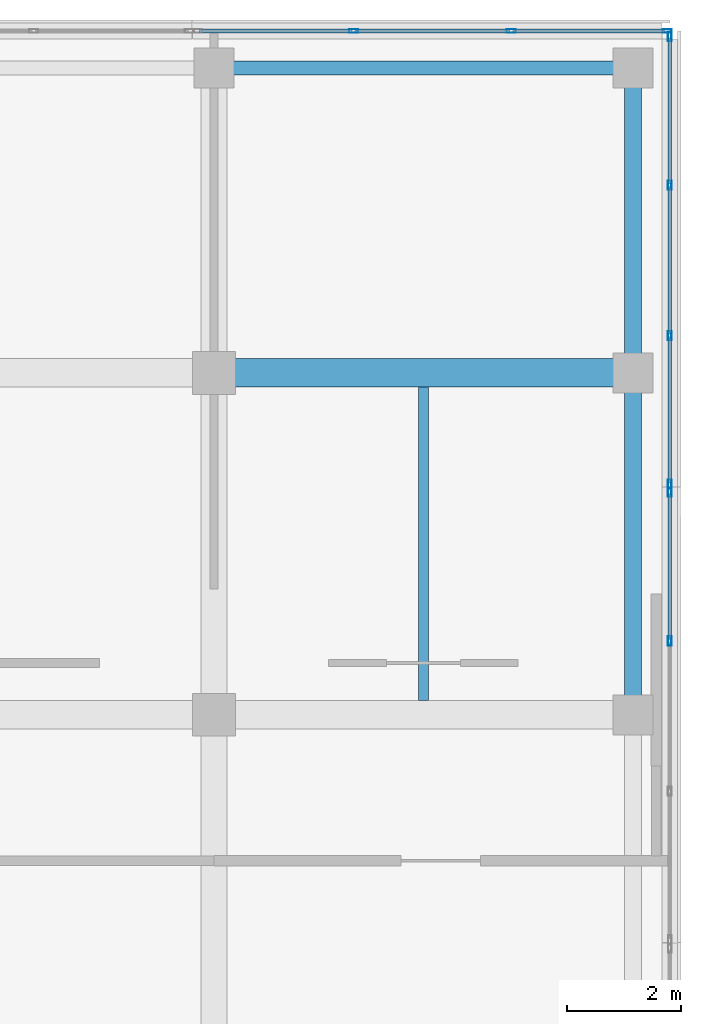
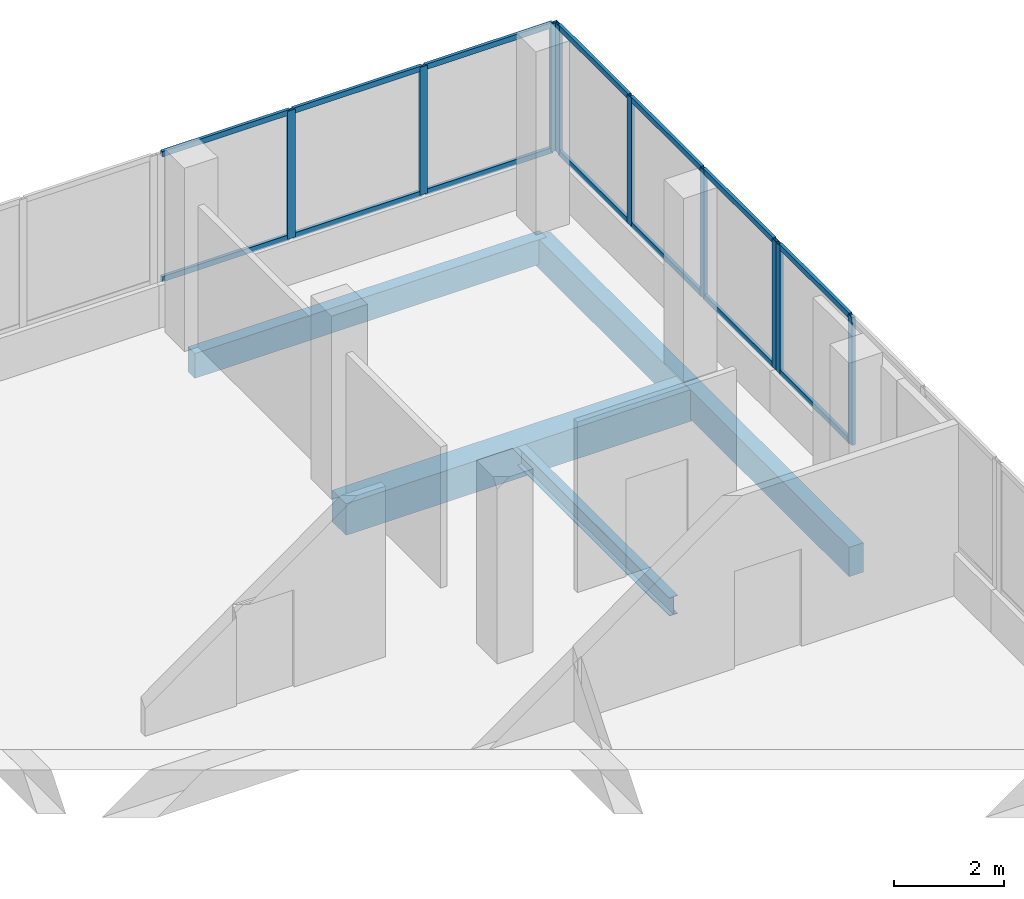
# One storey, part 72 of 101: 23 members, 5 beams, 3 elements without a shape of their own.
"""IFC4 building model written with IfcOpenShell, lengths in metres."""

from ifc_helpers import new_model, si_unit, direction, frame, origin, origin_2d, place, context, subcontext, project, spatial, rectangle, hollow_rectangle, i_section, extrude, material, material_profile, profile_set, type_object, element, aggregate, save


model = new_model("IFC4")

# Units and contexts
model_context = context("Model", 3, precision=1e-05, world=origin(), true_north=direction((0.0, 1.0)))
body_context = subcontext(model_context, "Body", "Model", "MODEL_VIEW")
ifc_project = project(units=[si_unit("LENGTHUNIT", "METRE"), si_unit("AREAUNIT", "SQUARE_METRE"), si_unit("VOLUMEUNIT", "CUBIC_METRE"), si_unit("PLANEANGLEUNIT", "RADIAN"), si_unit("MASSUNIT", "GRAM", prefix="KILO")], contexts=[model_context])

# Site, building, storey
site_placement = place(None, origin())
site = spatial("IfcSite", under=ifc_project, at=site_placement, CompositionType="ELEMENT")
building_placement = place(site_placement, origin())
building = spatial("IfcBuilding", under=site, at=building_placement, Name="Selatvlak General Hospital", CompositionType="ELEMENT")
storey_placement = place(building_placement, frame((0.0, 0.0, 19.199951171875)))
storey = spatial("IfcBuildingStorey", under=building, at=storey_placement, Name="L04", CompositionType="ELEMENT", Elevation=19.199951171875)

# Beams
ifc_material_1 = material(Name="Concrete C40/50", Category="concrete")
ifc_material_profile_1 = material_profile(ifc_material_1, rectangle(XDim=0.5, YDim=0.699951171875, at=origin_2d()), Name="RC-BM 500x700")
ifc_profile_set_1 = profile_set([ifc_material_profile_1], Name="Concrete C40/50")
beam_type_1 = type_object("IfcBeamType", Name="BM-G03", PredefinedType="BEAM", material=ifc_profile_set_1)
beam_1_placement = place(storey_placement, frame((174.0, 114.0, -0.655029296875), z_axis=(1.0, 0.0, 0.0), x_axis=(0.0, 1.0, 0.0)))
element("IfcBeam", 1, at=beam_1_placement, inside=storey, type_object=beam_type_1, Name="Beam BMR-L04-1626", PredefinedType="BEAM", context=body_context, shape_type="SweptSolid", body=[
    extrude(rectangle(XDim=0.5, YDim=0.699951171875, at=origin_2d()), origin(), (0.0, 0.0, 1.0), 7.35009765625),
])
ifc_material_2 = material(Name="Steel S355", Category="steel")
ifc_material_profile_2 = material_profile(ifc_material_2, i_section(OverallWidth=0.177978515625, OverallDepth=0.406494140625, WebThickness=0.0078125, FlangeThickness=0.0126953125, at=origin_2d()), Name="UB 406x178x60")
ifc_profile_set_2 = profile_set([ifc_material_profile_2], Name="Steel S355")
beam_type_2 = type_object("IfcBeamType", Name="BM-J04", PredefinedType="JOIST", material=ifc_profile_set_2)
beam_2_placement = place(storey_placement, frame((177.675048828125, 108.25, -0.508056640625), z_axis=(0.0, 1.0, 0.0), x_axis=(-1.0, 0.0, 0.0)))
element("IfcBeam", 2, at=beam_2_placement, inside=storey, type_object=beam_type_2, Name="Beam BMR-L04-1792", PredefinedType="JOIST", context=body_context, shape_type="SweptSolid", body=[
    extrude(i_section(OverallWidth=0.177978515625, OverallDepth=0.406494140625, WebThickness=0.0078125, FlangeThickness=0.0126953125, at=origin_2d()), origin(), (0.0, 0.0, 1.0), 5.5),
])
ifc_material_profile_3 = material_profile(ifc_material_1, rectangle(XDim=0.300048828125, YDim=0.64990234375, at=origin_2d()), Name="RC-SP 300x650")
ifc_profile_set_3 = profile_set([ifc_material_profile_3], Name="Concrete C40/50")
beam_type_3 = type_object("IfcBeamType", Name="BM-SP1", PredefinedType="SPANDREL", material=ifc_profile_set_3)
beam_3_placement = place(storey_placement, frame((181.35009765625, 108.0, -0.6298828125), z_axis=(0.0, 1.0, 0.0), x_axis=(-1.0, 0.0, 0.0)))
element("IfcBeam", 3, at=beam_3_placement, inside=storey, type_object=beam_type_3, Name="Beam BMR-L04-1774", PredefinedType="SPANDREL", context=body_context, shape_type="SweptSolid", body=[
    extrude(rectangle(XDim=0.300048828125, YDim=0.64990234375, at=origin_2d()), origin(), (0.0, 0.0, 1.0), 6.0),
])
beam_4_placement = place(storey_placement, frame((181.35009765625, 114.0, -0.6298828125), z_axis=(0.0, 1.0, 0.0), x_axis=(-1.0, 0.0, 0.0)))
element("IfcBeam", 4, at=beam_4_placement, inside=storey, type_object=beam_type_3, Name="Beam BMR-L04-1775", PredefinedType="SPANDREL", context=body_context, shape_type="SweptSolid", body=[
    extrude(rectangle(XDim=0.300048828125, YDim=0.64990234375, at=origin_2d()), origin(), (0.0, 0.0, 1.0), 5.35009765625),
])
ifc_material_profile_4 = material_profile(ifc_material_1, rectangle(XDim=0.25, YDim=0.550048828125, at=origin_2d()), Name="RC-SP 250x550")
ifc_profile_set_4 = profile_set([ifc_material_profile_4], Name="Concrete C40/50")
beam_type_4 = type_object("IfcBeamType", Name="BM-SP2", PredefinedType="SPANDREL", material=ifc_profile_set_4)
beam_5_placement = place(storey_placement, frame((174.0, 119.35009765625, -0.579833984375), z_axis=(1.0, 0.0, 0.0), x_axis=(0.0, 1.0, 0.0)))
element("IfcBeam", 5, at=beam_5_placement, inside=storey, type_object=beam_type_4, Name="Beam BMR-L04-1642", PredefinedType="SPANDREL", context=body_context, shape_type="SweptSolid", body=[
    extrude(rectangle(XDim=0.25, YDim=0.550048828125, at=origin_2d()), origin(), (0.0, 0.0, 1.0), 7.35009765625),
])

# Curtain wall, members
ifc_material_3 = material(Name="Solar-control Low-E double glazing", Category="glass")
curtain_wall_type_1 = type_object("IfcCurtainWallType", Name="CW-CW-01", PredefinedType="USERDEFINED", material=ifc_material_3)
curtain_wall_1_placement = place(storey_placement, origin())
curtain_wall_1 = element("IfcCurtainWall", 6, at=curtain_wall_1_placement, inside=storey, type_object=curtain_wall_type_1, Name="Glazed facade curtain wall CW-L04-0499", ObjectType="UNITISED CURTAIN WALL", PredefinedType="USERDEFINED")
ifc_material_4 = material(Name="Dark anodised aluminium mullion", Category="aluminium")
ifc_material_profile_5 = material_profile(ifc_material_4, hollow_rectangle(XDim=0.06494140625, YDim=0.159912109375, WallThickness=0.00390625, at=origin_2d()), Name="AL-MUL 65x160x4")
ifc_profile_set_5 = profile_set([ifc_material_profile_5], Name="Dark anodised aluminium mullion")
member_type_1 = type_object("IfcMemberType", Name="CWM-01", PredefinedType="MULLION", material=ifc_profile_set_5)
member_1_placement = place(storey_placement, frame((176.45068359375, 120.0, 0.93994140625), z_axis=(0.0, 0.0, 1.0), x_axis=(0.0, 1.0, 0.0)))
member_1 = element("IfcMember", 7, at=member_1_placement, type_object=member_type_1, Name="CW-01 mullion 2", PredefinedType="MULLION", context=body_context, shape_type="SweptSolid", body=[
    extrude(hollow_rectangle(XDim=0.06494140625, YDim=0.159912109375, WallThickness=0.00390625, at=origin_2d()), origin(), (0.0, 0.0, 1.0), 2.830078125),
])
member_2_placement = place(storey_placement, frame((179.21728515625, 120.0, 0.93994140625), z_axis=(0.0, 0.0, 1.0), x_axis=(0.0, 1.0, 0.0)))
member_2 = element("IfcMember", 8, at=member_2_placement, type_object=member_type_1, Name="CW-01 mullion 3", PredefinedType="MULLION", context=body_context, shape_type="SweptSolid", body=[
    extrude(hollow_rectangle(XDim=0.06494140625, YDim=0.159912109375, WallThickness=0.00390625, at=origin_2d()), origin(), (0.0, 0.0, 1.0), 2.830078125),
])
member_3_placement = place(storey_placement, frame((181.951416015625, 120.0, 0.93994140625), z_axis=(0.0, 0.0, 1.0), x_axis=(0.0, 1.0, 0.0)))
member_3 = element("IfcMember", 9, at=member_3_placement, type_object=member_type_1, Name="CW-01 mullion 4", PredefinedType="MULLION", context=body_context, shape_type="SweptSolid", body=[
    extrude(hollow_rectangle(XDim=0.06494140625, YDim=0.159912109375, WallThickness=0.00390625, at=origin_2d()), origin(), (0.0, 0.0, 1.0), 2.830078125),
])

curtain_wall_type_2 = type_object("IfcCurtainWallType", Name="CW-CW-02", PredefinedType="USERDEFINED", material=ifc_material_3)
curtain_wall_2_placement = place(storey_placement, origin())
curtain_wall_2 = element("IfcCurtainWall", 10, at=curtain_wall_2_placement, inside=storey, type_object=curtain_wall_type_2, Name="Glazed facade curtain wall CW-L04-0500", ObjectType="UNITISED CURTAIN WALL", PredefinedType="USERDEFINED")
member_4_placement = place(storey_placement, frame((181.9990234375, 119.902587890625, 0.93994140625), z_axis=(0.0, 0.0, 1.0), x_axis=(1.0, 0.0, 0.0)))
member_4 = element("IfcMember", 11, at=member_4_placement, type_object=member_type_1, Name="CW-02 mullion 1", PredefinedType="MULLION", context=body_context, shape_type="SweptSolid", body=[
    extrude(hollow_rectangle(XDim=0.06494140625, YDim=0.159912109375, WallThickness=0.00390625, at=origin_2d()), origin(), (0.0, 0.0, 1.0), 2.830078125),
])
member_5_placement = place(storey_placement, frame((181.9990234375, 117.294921875, 0.93994140625), z_axis=(0.0, 0.0, 1.0), x_axis=(1.0, 0.0, 0.0)))
member_5 = element("IfcMember", 12, at=member_5_placement, type_object=member_type_1, Name="CW-02 mullion 2", PredefinedType="MULLION", context=body_context, shape_type="SweptSolid", body=[
    extrude(hollow_rectangle(XDim=0.06494140625, YDim=0.159912109375, WallThickness=0.00390625, at=origin_2d()), origin(), (0.0, 0.0, 1.0), 2.830078125),
])
member_6_placement = place(storey_placement, frame((181.9990234375, 114.655029296875, 0.93994140625), z_axis=(0.0, 0.0, 1.0), x_axis=(1.0, 0.0, 0.0)))
member_6 = element("IfcMember", 13, at=member_6_placement, type_object=member_type_1, Name="CW-02 mullion 3", PredefinedType="MULLION", context=body_context, shape_type="SweptSolid", body=[
    extrude(hollow_rectangle(XDim=0.06494140625, YDim=0.159912109375, WallThickness=0.00390625, at=origin_2d()), origin(), (0.0, 0.0, 1.0), 2.830078125),
])
member_7_placement = place(storey_placement, frame((181.9990234375, 112.047607421875, 0.93994140625), z_axis=(0.0, 0.0, 1.0), x_axis=(1.0, 0.0, 0.0)))
member_7 = element("IfcMember", 14, at=member_7_placement, type_object=member_type_1, Name="CW-02 mullion 4", PredefinedType="MULLION", context=body_context, shape_type="SweptSolid", body=[
    extrude(hollow_rectangle(XDim=0.06494140625, YDim=0.159912109375, WallThickness=0.00390625, at=origin_2d()), origin(), (0.0, 0.0, 1.0), 2.830078125),
])

curtain_wall_3_placement = place(storey_placement, origin())
curtain_wall_3 = element("IfcCurtainWall", 15, at=curtain_wall_3_placement, inside=storey, type_object=curtain_wall_type_1, Name="Glazed facade curtain wall CW-L04-0501", ObjectType="UNITISED CURTAIN WALL", PredefinedType="USERDEFINED")
member_8_placement = place(storey_placement, frame((181.9990234375, 111.902587890625, 0.93994140625), z_axis=(0.0, 0.0, 1.0), x_axis=(0.999999992027, 0.000126278568, 0.0)))
member_8 = element("IfcMember", 16, at=member_8_placement, type_object=member_type_1, Name="CW-01 mullion 1", PredefinedType="MULLION", context=body_context, shape_type="SweptSolid", body=[
    extrude(hollow_rectangle(XDim=0.06494140625, YDim=0.159912109375, WallThickness=0.00390625, at=origin_2d()), origin(), (0.0, 0.0, 1.0), 2.830078125),
])
member_9_placement = place(storey_placement, frame((181.999267578125, 109.29541015625, 0.93994140625), z_axis=(0.0, 0.0, 1.0), x_axis=(0.999999992027, 0.000126278568, 0.0)))
member_9 = element("IfcMember", 17, at=member_9_placement, type_object=member_type_1, Name="CW-01 mullion 2", PredefinedType="MULLION", context=body_context, shape_type="SweptSolid", body=[
    extrude(hollow_rectangle(XDim=0.06494140625, YDim=0.159912109375, WallThickness=0.00390625, at=origin_2d()), origin(), (0.0, 0.0, 1.0), 2.830078125),
])

# Member
ifc_material_profile_6 = material_profile(ifc_material_4, hollow_rectangle(XDim=0.06494140625, YDim=0.1201171875, WallThickness=0.00390625, at=origin_2d()), Name="AL-TRN 65x120x4")
ifc_profile_set_6 = profile_set([ifc_material_profile_6], Name="Dark anodised aluminium mullion")
member_type_2 = type_object("IfcMemberType", Name="CWT-01", PredefinedType="USERDEFINED", material=ifc_profile_set_6)
member_10_placement = place(storey_placement, frame((173.7490234375, 120.0, 0.97265625), z_axis=(1.0, 0.0, 0.0), x_axis=(0.0, 1.0, 0.0)))
member_10 = element("IfcMember", 18, at=member_10_placement, type_object=member_type_2, Name="CW-01 transom 1.1", ObjectType="TRANSOM", PredefinedType="USERDEFINED", context=body_context, shape_type="SweptSolid", body=[
    extrude(hollow_rectangle(XDim=0.06494140625, YDim=0.1201171875, WallThickness=0.00390625, at=origin_2d()), origin(), (0.0, 0.0, 1.0), 2.669189453125),
])

member_11_placement = place(storey_placement, frame((173.7490234375, 120.0, 3.737548828125), z_axis=(1.0, 0.0, 0.0), x_axis=(0.0, 1.0, 0.0)))
member_11 = element("IfcMember", 19, at=member_11_placement, type_object=member_type_2, Name="CW-01 transom 1.2", ObjectType="TRANSOM", PredefinedType="USERDEFINED", context=body_context, shape_type="SweptSolid", body=[
    extrude(hollow_rectangle(XDim=0.06494140625, YDim=0.1201171875, WallThickness=0.00390625, at=origin_2d()), origin(), (0.0, 0.0, 1.0), 2.669189453125),
])

member_12_placement = place(storey_placement, frame((176.483154296875, 120.0, 0.97265625), z_axis=(1.0, 0.0, 0.0), x_axis=(0.0, 1.0, 0.0)))
member_12 = element("IfcMember", 20, at=member_12_placement, type_object=member_type_2, Name="CW-01 transom 2.1", ObjectType="TRANSOM", PredefinedType="USERDEFINED", context=body_context, shape_type="SweptSolid", body=[
    extrude(hollow_rectangle(XDim=0.06494140625, YDim=0.1201171875, WallThickness=0.00390625, at=origin_2d()), origin(), (0.0, 0.0, 1.0), 2.70166015625),
])

member_13_placement = place(storey_placement, frame((176.483154296875, 120.0, 3.737548828125), z_axis=(1.0, 0.0, 0.0), x_axis=(0.0, 1.0, 0.0)))
member_13 = element("IfcMember", 21, at=member_13_placement, type_object=member_type_2, Name="CW-01 transom 2.2", ObjectType="TRANSOM", PredefinedType="USERDEFINED", context=body_context, shape_type="SweptSolid", body=[
    extrude(hollow_rectangle(XDim=0.06494140625, YDim=0.1201171875, WallThickness=0.00390625, at=origin_2d()), origin(), (0.0, 0.0, 1.0), 2.70166015625),
])

member_14_placement = place(storey_placement, frame((179.249755859375, 120.0, 0.97265625), z_axis=(1.0, 0.0, 0.0), x_axis=(0.0, 1.0, 0.0)))
member_14 = element("IfcMember", 22, at=member_14_placement, type_object=member_type_2, Name="CW-01 transom 3.1", ObjectType="TRANSOM", PredefinedType="USERDEFINED", context=body_context, shape_type="SweptSolid", body=[
    extrude(hollow_rectangle(XDim=0.06494140625, YDim=0.1201171875, WallThickness=0.00390625, at=origin_2d()), origin(), (0.0, 0.0, 1.0), 2.669189453125),
])

member_15_placement = place(storey_placement, frame((179.249755859375, 120.0, 3.737548828125), z_axis=(1.0, 0.0, 0.0), x_axis=(0.0, 1.0, 0.0)))
member_15 = element("IfcMember", 23, at=member_15_placement, type_object=member_type_2, Name="CW-01 transom 3.2", ObjectType="TRANSOM", PredefinedType="USERDEFINED", context=body_context, shape_type="SweptSolid", body=[
    extrude(hollow_rectangle(XDim=0.06494140625, YDim=0.1201171875, WallThickness=0.00390625, at=origin_2d()), origin(), (0.0, 0.0, 1.0), 2.669189453125),
])

aggregate(curtain_wall_1, [member_1, member_2, member_3, member_10, member_11, member_12, member_13, member_14, member_15])

member_16_placement = place(storey_placement, frame((181.9990234375, 119.8701171875, 0.97265625), z_axis=(0.0, -1.0, 0.0), x_axis=(1.0, 0.0, 0.0)))
member_16 = element("IfcMember", 24, at=member_16_placement, type_object=member_type_2, Name="CW-02 transom 1.1", ObjectType="TRANSOM", PredefinedType="USERDEFINED", context=body_context, shape_type="SweptSolid", body=[
    extrude(hollow_rectangle(XDim=0.06494140625, YDim=0.1201171875, WallThickness=0.00390625, at=origin_2d()), origin(), (0.0, 0.0, 1.0), 2.542724609375),
])

member_17_placement = place(storey_placement, frame((181.9990234375, 119.8701171875, 3.737548828125), z_axis=(0.0, -1.0, 0.0), x_axis=(1.0, 0.0, 0.0)))
member_17 = element("IfcMember", 25, at=member_17_placement, type_object=member_type_2, Name="CW-02 transom 1.2", ObjectType="TRANSOM", PredefinedType="USERDEFINED", context=body_context, shape_type="SweptSolid", body=[
    extrude(hollow_rectangle(XDim=0.06494140625, YDim=0.1201171875, WallThickness=0.00390625, at=origin_2d()), origin(), (0.0, 0.0, 1.0), 2.542724609375),
])

member_18_placement = place(storey_placement, frame((181.9990234375, 117.262451171875, 0.97265625), z_axis=(0.0, -1.0, 0.0), x_axis=(1.0, 0.0, 0.0)))
member_18 = element("IfcMember", 26, at=member_18_placement, type_object=member_type_2, Name="CW-02 transom 2.1", ObjectType="TRANSOM", PredefinedType="USERDEFINED", context=body_context, shape_type="SweptSolid", body=[
    extrude(hollow_rectangle(XDim=0.06494140625, YDim=0.1201171875, WallThickness=0.00390625, at=origin_2d()), origin(), (0.0, 0.0, 1.0), 2.574951171875),
])

member_19_placement = place(storey_placement, frame((181.9990234375, 117.262451171875, 3.737548828125), z_axis=(0.0, -1.0, 0.0), x_axis=(1.0, 0.0, 0.0)))
member_19 = element("IfcMember", 27, at=member_19_placement, type_object=member_type_2, Name="CW-02 transom 2.2", ObjectType="TRANSOM", PredefinedType="USERDEFINED", context=body_context, shape_type="SweptSolid", body=[
    extrude(hollow_rectangle(XDim=0.06494140625, YDim=0.1201171875, WallThickness=0.00390625, at=origin_2d()), origin(), (0.0, 0.0, 1.0), 2.574951171875),
])

member_20_placement = place(storey_placement, frame((181.9990234375, 114.62255859375, 0.97265625), z_axis=(0.0, -1.0, 0.0), x_axis=(1.0, 0.0, 0.0)))
member_20 = element("IfcMember", 28, at=member_20_placement, type_object=member_type_2, Name="CW-02 transom 3.1", ObjectType="TRANSOM", PredefinedType="USERDEFINED", context=body_context, shape_type="SweptSolid", body=[
    extrude(hollow_rectangle(XDim=0.06494140625, YDim=0.1201171875, WallThickness=0.00390625, at=origin_2d()), origin(), (0.0, 0.0, 1.0), 2.54248046875),
])

member_21_placement = place(storey_placement, frame((181.9990234375, 114.62255859375, 3.737548828125), z_axis=(0.0, -1.0, 0.0), x_axis=(1.0, 0.0, 0.0)))
member_21 = element("IfcMember", 29, at=member_21_placement, type_object=member_type_2, Name="CW-02 transom 3.2", ObjectType="TRANSOM", PredefinedType="USERDEFINED", context=body_context, shape_type="SweptSolid", body=[
    extrude(hollow_rectangle(XDim=0.06494140625, YDim=0.1201171875, WallThickness=0.00390625, at=origin_2d()), origin(), (0.0, 0.0, 1.0), 2.54248046875),
])

aggregate(curtain_wall_2, [member_4, member_5, member_6, member_7, member_16, member_17, member_18, member_19, member_20, member_21])

member_22_placement = place(storey_placement, frame((181.9990234375, 111.8701171875, 0.97265625), z_axis=(9.6033803e-05, -0.999999995389, 0.0), x_axis=(0.999999995389, 9.6033803e-05, 0.0)))
member_22 = element("IfcMember", 30, at=member_22_placement, type_object=member_type_2, Name="CW-01 transom 1.1", ObjectType="TRANSOM", PredefinedType="USERDEFINED", context=body_context, shape_type="SweptSolid", body=[
    extrude(hollow_rectangle(XDim=0.06494140625, YDim=0.1201171875, WallThickness=0.00390625, at=origin_2d()), origin(), (0.0, 0.0, 1.0), 2.542236328125),
])

member_23_placement = place(storey_placement, frame((181.9990234375, 111.8701171875, 3.737548828125), z_axis=(9.6033803e-05, -0.999999995389, 0.0), x_axis=(0.999999995389, 9.6033803e-05, 0.0)))
member_23 = element("IfcMember", 31, at=member_23_placement, type_object=member_type_2, Name="CW-01 transom 1.2", ObjectType="TRANSOM", PredefinedType="USERDEFINED", context=body_context, shape_type="SweptSolid", body=[
    extrude(hollow_rectangle(XDim=0.06494140625, YDim=0.1201171875, WallThickness=0.00390625, at=origin_2d()), origin(), (0.0, 0.0, 1.0), 2.542236328125),
])

aggregate(curtain_wall_3, [member_8, member_9, member_22, member_23])

save(model, "model.ifc")
